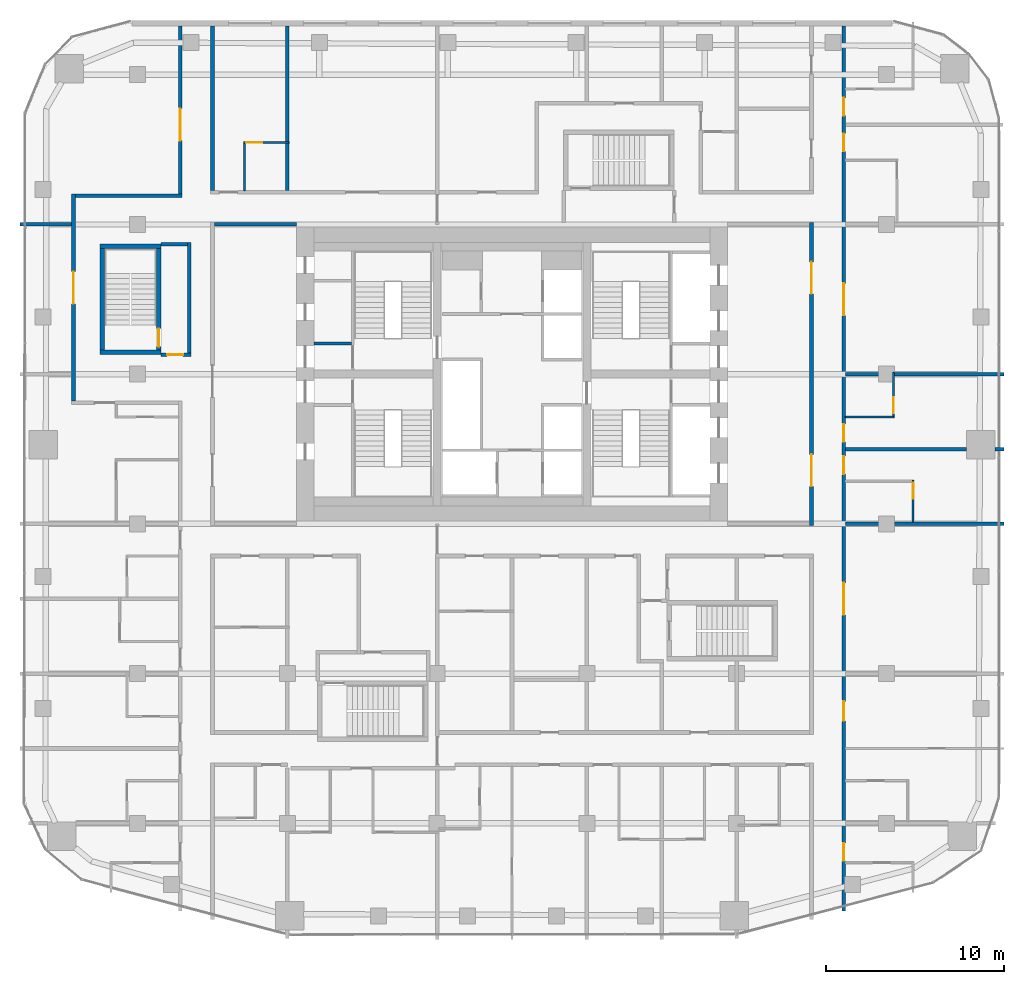
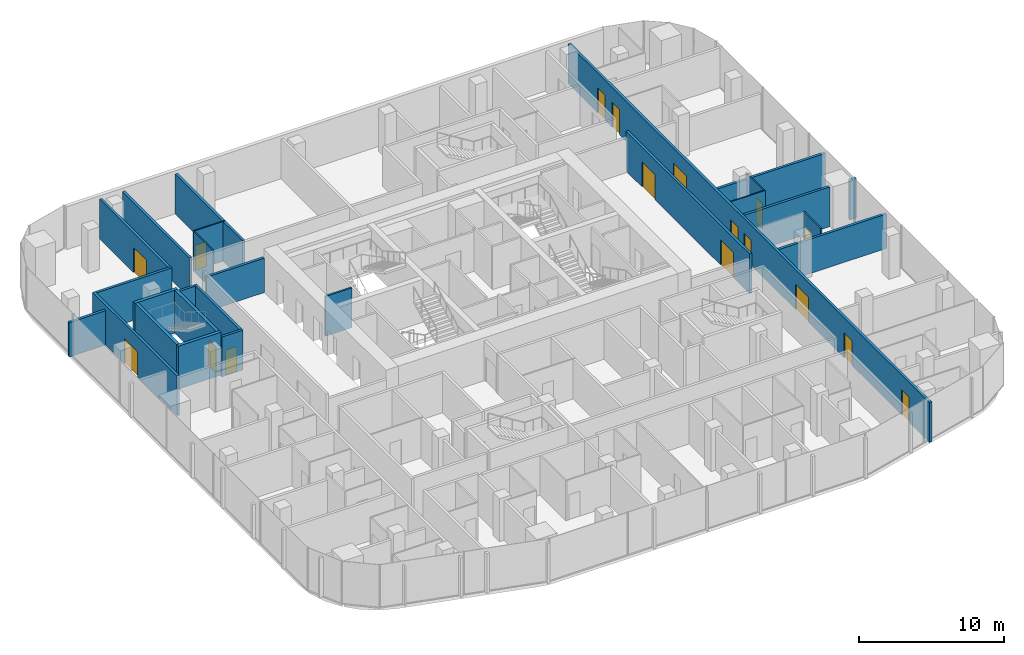
# One storey, part 18 of 23: 26 walls, 17 doors, 17 openings.
"""IFC4 building model written with IfcOpenShell, lengths in metres."""

from ifc_helpers import new_model, si_unit, direction, frame, frame_2d, origin, place, context, subcontext, project, spatial, rectangle, extrude, material, layer, layer_set, type_object, element, fill, save


model = new_model("IFC4")

# Units and contexts
model_context = context("Model", 3, precision=1e-05, world=origin(), true_north=direction((0.0, 1.0)))
body_context = subcontext(model_context, "Body", "Model", "MODEL_VIEW")
ifc_project = project(units=[si_unit("LENGTHUNIT", "METRE"), si_unit("AREAUNIT", "SQUARE_METRE"), si_unit("VOLUMEUNIT", "CUBIC_METRE"), si_unit("PLANEANGLEUNIT", "RADIAN"), si_unit("MASSUNIT", "GRAM", prefix="KILO")], contexts=[model_context])

# Site, building, storey
site_placement = place(None, origin())
site = spatial("IfcSite", under=ifc_project, at=site_placement, CompositionType="ELEMENT")
building_placement = place(site_placement, origin())
building = spatial("IfcBuilding", under=site, at=building_placement, Name="Marenta Gate Hotel Tower", CompositionType="ELEMENT")
storey_placement = place(building_placement, frame((0.0, 0.0, 148.10009765625)))
storey = spatial("IfcBuildingStorey", under=building, at=storey_placement, Name="L34", CompositionType="ELEMENT", Elevation=148.10009765625)

# Wall
ifc_material_1 = material(Name="Concrete blockwork", Category="masonry")
ifc_layer_1 = layer(ifc_material_1, 0.199951171875)
ifc_layer_set_1 = layer_set([ifc_layer_1], Name="Concrete blockwork")
wall_type_1 = type_object("IfcWallType", Name="Core boundary wall 200 REI 180", PredefinedType="PARTITIONING", material=ifc_layer_set_1)
wall_1_placement = place(storey_placement, frame((-16.699951171875, 16.800048828125, 0.0), z_axis=(0.0, 0.0, 1.0), x_axis=(1.0, 0.0, 0.0)))
element("IfcWall", 1, at=wall_1_placement, inside=storey, type_object=wall_type_1, Name="L34-CP-EW-WN", PredefinedType="PARTITIONING", context=body_context, shape_type="SweptSolid", body=[
    extrude(rectangle(XDim=4.599853515625, YDim=0.199951171875, at=frame_2d((2.2998046875, 0.0))), origin(), (0.0, 0.0, 1.0), 2.889892578125),
])

# Wall, openings, doors
wall_2_placement = place(storey_placement, frame((16.800048828125, -0.10009765625, 0.0), z_axis=(0.0, 0.0, 1.0), x_axis=(0.0, 1.0, 0.0)))
wall_2 = element("IfcWall", 2, at=wall_2_placement, inside=storey, type_object=wall_type_1, Name="L34-CP-BW-E", PredefinedType="PARTITIONING", context=body_context, shape_type="SweptSolid", body=[
    extrude(rectangle(XDim=17.0, YDim=0.199951171875, at=frame_2d((8.5, 0.0))), origin(), (0.0, 0.0, 1.0), 3.33984375),
])
opening_1_placement = place(wall_2_placement, frame((2.199951171875, 0.0, 0.0)))
opening_1 = element("IfcOpeningElement", 3, at=opening_1_placement, cuts=wall_2, Name="Opening ED-Ea-B", PredefinedType="OPENING", context=body_context, shape_type="SweptSolid", body=[
    extrude(rectangle(XDim=1.800048828125, YDim=2.10009765625, at=frame_2d((0.89990234375, 1.050048828125))), frame((0.0, 0.10009765625, 0.0), z_axis=(0.0, -1.0, 0.0), x_axis=(1.0, 0.0, 0.0)), (0.0, 0.0, 1.0), 0.199951171875),
])
opening_2_placement = place(wall_2_placement, frame((13.0, 0.0, 0.0)))
opening_2 = element("IfcOpeningElement", 4, at=opening_2_placement, cuts=wall_2, Name="Opening ED-Eb-B", PredefinedType="OPENING", context=body_context, shape_type="SweptSolid", body=[
    extrude(rectangle(XDim=1.800048828125, YDim=2.10009765625, at=frame_2d((0.89990234375, 1.050048828125))), frame((0.0, 0.10009765625, 0.0), z_axis=(0.0, -1.0, 0.0), x_axis=(1.0, 0.0, 0.0)), (0.0, 0.0, 1.0), 0.199951171875),
])
ifc_material_2 = material(Name="Steel", Category="steel")
door_type_1 = type_object("IfcDoorType", Name="Core lobby entrance door 1800x2100 EI 60", OperationType="DOUBLE_DOOR_SINGLE_SWING", PredefinedType="DOOR", material=ifc_material_2)
door_1_placement = place(opening_1_placement, origin())
door_1 = element("IfcDoor", 5, at=door_1_placement, inside=storey, type_object=door_type_1, Name="ED-Ea-B", OperationType="DOUBLE_DOOR_SINGLE_SWING", OverallHeight=2.10009765625, OverallWidth=1.800048828125, PredefinedType="DOOR", context=body_context, shape_type="SweptSolid", body=[
    extrude(rectangle(XDim=1.800048828125, YDim=2.10009765625, at=frame_2d((0.89990234375, 1.050048828125))), frame((0.0, 0.02490234375, 0.0), z_axis=(0.0, -1.0, 0.0), x_axis=(1.0, 0.0, 0.0)), (0.0, 0.0, 1.0), 0.050048828125),
])
fill(opening_1, door_1)
door_2_placement = place(opening_2_placement, origin())
door_2 = element("IfcDoor", 6, at=door_2_placement, inside=storey, type_object=door_type_1, Name="ED-Eb-B", OperationType="DOUBLE_DOOR_SINGLE_SWING", OverallHeight=2.10009765625, OverallWidth=1.800048828125, PredefinedType="DOOR", context=body_context, shape_type="SweptSolid", body=[
    extrude(rectangle(XDim=1.800048828125, YDim=2.10009765625, at=frame_2d((0.89990234375, 1.050048828125))), frame((0.0, 0.02490234375, 0.0), z_axis=(0.0, -1.0, 0.0), x_axis=(1.0, 0.0, 0.0)), (0.0, 0.0, 1.0), 0.050048828125),
])
fill(opening_2, door_2)

# Walls
ifc_material_3 = material(Name="Concrete blockwork", Category="masonry")
ifc_layer_2 = layer(ifc_material_3, 0.14990234375)
ifc_layer_set_2 = layer_set([ifc_layer_2], Name="Concrete blockwork")
wall_type_2 = type_object("IfcWallType", Name="Core room partition 150 REI 180", PredefinedType="PARTITIONING", material=ifc_layer_set_2)
wall_3_placement = place(storey_placement, frame((-11.10009765625, 10.125, 0.0), z_axis=(0.0, 0.0, 1.0), x_axis=(1.0, 0.0, 0.0)))
element("IfcWall", 7, at=wall_3_placement, inside=storey, type_object=wall_type_2, Name="L34-CP-SW-WN-2", PredefinedType="PARTITIONING", context=body_context, shape_type="SweptSolid", body=[
    extrude(rectangle(XDim=2.10009765625, YDim=0.14990234375, at=frame_2d((1.050048828125, 0.0))), origin(), (0.0, 0.0, 1.0), 3.33984375),
])
ifc_material_4 = material(Name="Concrete C40", Category="concrete")
ifc_layer_3 = layer(ifc_material_4, 0.25)
ifc_layer_set_3 = layer_set([ifc_layer_3], Name="Concrete C40")
wall_type_3 = type_object("IfcWallType", Name="Remote stair enclosure wall 250 REI 180", PredefinedType="SHEAR", material=ifc_layer_set_3)
for number, where, z_axis, x_axis, name in (
    (8, (-23.10009765625, 9.625, 0.099853515625), (0.0, 0.0, 1.0), (1.0, 0.0, 0.0), "L34-RS-Z1-3-W1"),
    (9, (-23.10009765625, 15.574951171875, 0.099853515625), (0.0, 0.0, 1.0), (1.0, 0.0, 0.0), "L34-RS-Z1-3-W2"),
):
    element("IfcWall", number, at=place(storey_placement, frame(where, z_axis=z_axis, x_axis=x_axis)), inside=storey, type_object=wall_type_3, Name=name, PredefinedType="SHEAR", context=body_context, shape_type="SweptSolid", body=[
        extrude(rectangle(XDim=3.400146484375, YDim=0.25, at=frame_2d((1.7001953125, 0.0))), origin(), (0.0, 0.0, 1.0), 3.60009765625),
    ])
wall_4_placement = place(storey_placement, frame((-22.97509765625, 9.75, 0.099853515625), z_axis=(0.0, 0.0, 1.0), x_axis=(0.0, 1.0, 0.0)))
element("IfcWall", 10, at=wall_4_placement, inside=storey, type_object=wall_type_3, Name="L34-RS-Z1-3-W3", PredefinedType="SHEAR", context=body_context, shape_type="SweptSolid", body=[
    extrude(rectangle(XDim=5.699951171875, YDim=0.25, at=frame_2d((2.85009765625, 0.0))), origin(), (0.0, 0.0, 1.0), 3.60009765625),
])

# Wall, opening, door
wall_5_placement = place(storey_placement, frame((-19.824951171875, 9.75, 0.099853515625), z_axis=(0.0, 0.0, 1.0), x_axis=(0.0, 1.0, 0.0)))
wall_5 = element("IfcWall", 11, at=wall_5_placement, inside=storey, type_object=wall_type_3, Name="L34-RS-Z1-3-W4", PredefinedType="SHEAR", context=body_context, shape_type="SweptSolid", body=[
    extrude(rectangle(XDim=5.699951171875, YDim=0.25, at=frame_2d((2.85009765625, 0.0))), origin(), (0.0, 0.0, 1.0), 3.60009765625),
])
opening_3_placement = place(wall_5_placement, frame((0.199951171875, 0.0, 0.0)))
opening_3 = element("IfcOpeningElement", 12, at=opening_3_placement, cuts=wall_5, Name="Opening VD", PredefinedType="OPENING", context=body_context, shape_type="SweptSolid", body=[
    extrude(rectangle(XDim=1.0, YDim=2.10009765625, at=frame_2d((0.5, 1.050048828125))), frame((0.0, 0.125, 0.0), z_axis=(0.0, -1.0, 0.0), x_axis=(1.0, 0.0, 0.0)), (0.0, 0.0, 1.0), 0.25),
])
ifc_material_5 = material(Name="Steel", Category="steel")
door_type_2 = type_object("IfcDoorType", Name="Stair vestibule door 1000x2100 FD60", OperationType="SINGLE_SWING_LEFT", PredefinedType="DOOR", material=ifc_material_5)
door_3_placement = place(opening_3_placement, origin())
door_3 = element("IfcDoor", 13, at=door_3_placement, inside=storey, type_object=door_type_2, Name="VD", OperationType="SINGLE_SWING_LEFT", OverallHeight=2.10009765625, OverallWidth=1.0, PredefinedType="DOOR", context=body_context, shape_type="SweptSolid", body=[
    extrude(rectangle(XDim=1.0, YDim=2.10009765625, at=frame_2d((0.5, 1.050048828125))), frame((0.0, 0.02490234375, 0.0), z_axis=(0.0, -1.0, 0.0), x_axis=(1.0, 0.0, 0.0)), (0.0, 0.0, 1.0), 0.050048828125),
])
fill(opening_3, door_3)

# Wall, openings, doors
ifc_material_6 = material(Name="Gypsum board on steel stud", Category="steel")
ifc_layer_4 = layer(ifc_material_6, 0.199951171875)
ifc_layer_set_4 = layer_set([ifc_layer_4], Name="Gypsum board on steel stud")
wall_type_4 = type_object("IfcWallType", Name="Room corridor wall 200 EI 60", PredefinedType="PARTITIONING", material=ifc_layer_set_4)
wall_6_placement = place(storey_placement, frame((18.60009765625, -21.7080078125, 0.0), z_axis=(0.0, 0.0, 1.0), x_axis=(0.0, 1.0, 0.0)))
wall_6 = element("IfcWall", 14, at=wall_6_placement, inside=storey, type_object=wall_type_4, Name="L34-PTN-W009", PredefinedType="PARTITIONING", context=body_context, shape_type="SweptSolid", body=[
    extrude(rectangle(XDim=49.64794921875, YDim=0.199951171875, at=frame_2d((24.823974609375, 0.0))), origin(), (0.0, 0.0, 1.0), 3.33984375),
])
opening_4_placement = place(wall_6_placement, frame((2.800048828125, 0.0, 0.0)))
opening_4 = element("IfcOpeningElement", 15, at=opening_4_placement, cuts=wall_6, Name="Opening G13-08", PredefinedType="OPENING", context=body_context, shape_type="SweptSolid", body=[
    extrude(rectangle(XDim=1.0, YDim=2.10009765625, at=frame_2d((0.5, 1.050048828125))), frame((0.0, 0.10009765625, 0.0), z_axis=(0.0, -1.0, 0.0), x_axis=(1.0, 0.0, 0.0)), (0.0, 0.0, 1.0), 0.199951171875),
])
opening_5_placement = place(wall_6_placement, frame((10.657958984375, 0.0, 0.0)))
opening_5 = element("IfcOpeningElement", 16, at=opening_5_placement, cuts=wall_6, Name="Opening G13-10", PredefinedType="OPENING", context=body_context, shape_type="SweptSolid", body=[
    extrude(rectangle(XDim=1.10009765625, YDim=2.10009765625, at=frame_2d((0.550048828125, 1.050048828125))), frame((0.0, 0.10009765625, 0.0), z_axis=(0.0, -1.0, 0.0), x_axis=(1.0, 0.0, 0.0)), (0.0, 0.0, 1.0), 0.199951171875),
])
opening_6_placement = place(wall_6_placement, frame((16.60791015625, 0.0, 0.0)))
opening_6 = element("IfcOpeningElement", 17, at=opening_6_placement, cuts=wall_6, Name="Opening G13-13", PredefinedType="OPENING", context=body_context, shape_type="SweptSolid", body=[
    extrude(rectangle(XDim=1.800048828125, YDim=2.10009765625, at=frame_2d((0.89990234375, 1.050048828125))), frame((0.0, 0.10009765625, 0.0), z_axis=(0.0, -1.0, 0.0), x_axis=(1.0, 0.0, 0.0)), (0.0, 0.0, 1.0), 0.199951171875),
])
opening_7_placement = place(wall_6_placement, frame((24.508056640625, 0.0, 0.0)))
opening_7 = element("IfcOpeningElement", 18, at=opening_7_placement, cuts=wall_6, Name="Opening G13-14", PredefinedType="OPENING", context=body_context, shape_type="SweptSolid", body=[
    extrude(rectangle(XDim=1.0, YDim=2.10009765625, at=frame_2d((0.5, 1.050048828125))), frame((0.0, 0.10009765625, 0.0), z_axis=(0.0, -1.0, 0.0), x_axis=(1.0, 0.0, 0.0)), (0.0, 0.0, 1.0), 0.199951171875),
])
opening_8_placement = place(wall_6_placement, frame((26.30810546875, 0.0, 0.0)))
opening_8 = element("IfcOpeningElement", 19, at=opening_8_placement, cuts=wall_6, Name="Opening G13-16", PredefinedType="OPENING", context=body_context, shape_type="SweptSolid", body=[
    extrude(rectangle(XDim=1.0, YDim=2.10009765625, at=frame_2d((0.5, 1.050048828125))), frame((0.0, 0.10009765625, 0.0), z_axis=(0.0, -1.0, 0.0), x_axis=(1.0, 0.0, 0.0)), (0.0, 0.0, 1.0), 0.199951171875),
])
opening_9_placement = place(wall_6_placement, frame((33.407958984375, 0.0, 0.0)))
opening_9 = element("IfcOpeningElement", 20, at=opening_9_placement, cuts=wall_6, Name="Opening G13-18", PredefinedType="OPENING", context=body_context, shape_type="SweptSolid", body=[
    extrude(rectangle(XDim=1.800048828125, YDim=2.10009765625, at=frame_2d((0.89990234375, 1.050048828125))), frame((0.0, 0.10009765625, 0.0), z_axis=(0.0, -1.0, 0.0), x_axis=(1.0, 0.0, 0.0)), (0.0, 0.0, 1.0), 0.199951171875),
])
opening_10_placement = place(wall_6_placement, frame((42.60791015625, 0.0, 0.0)))
opening_10 = element("IfcOpeningElement", 21, at=opening_10_placement, cuts=wall_6, Name="Opening G13-19", PredefinedType="OPENING", context=body_context, shape_type="SweptSolid", body=[
    extrude(rectangle(XDim=1.0, YDim=2.10009765625, at=frame_2d((0.5, 1.050048828125))), frame((0.0, 0.10009765625, 0.0), z_axis=(0.0, -1.0, 0.0), x_axis=(1.0, 0.0, 0.0)), (0.0, 0.0, 1.0), 0.199951171875),
])
opening_11_placement = place(wall_6_placement, frame((44.60791015625, 0.0, 0.0)))
opening_11 = element("IfcOpeningElement", 22, at=opening_11_placement, cuts=wall_6, Name="Opening G13-21", PredefinedType="OPENING", context=body_context, shape_type="SweptSolid", body=[
    extrude(rectangle(XDim=1.0, YDim=2.10009765625, at=frame_2d((0.5, 1.050048828125))), frame((0.0, 0.10009765625, 0.0), z_axis=(0.0, -1.0, 0.0), x_axis=(1.0, 0.0, 0.0)), (0.0, 0.0, 1.0), 0.199951171875),
])
ifc_material_7 = material(Name="Timber door leaf", Category="wood")
door_type_3 = type_object("IfcDoorType", Name="Guest room door 1000x2100 EI 30", OperationType="NOTDEFINED", PredefinedType="DOOR", material=ifc_material_7)
door_4_placement = place(opening_4_placement, origin())
door_4 = element("IfcDoor", 23, at=door_4_placement, inside=storey, type_object=door_type_3, Name="L34-PD-D008", OperationType="SINGLE_SWING_RIGHT", OverallHeight=2.10009765625, OverallWidth=1.0, PredefinedType="DOOR", context=body_context, shape_type="SweptSolid", body=[
    extrude(rectangle(XDim=1.0, YDim=2.10009765625, at=frame_2d((0.5, 1.050048828125))), frame((0.0, 0.02490234375, 0.0), z_axis=(0.0, -1.0, 0.0), x_axis=(1.0, 0.0, 0.0)), (0.0, 0.0, 1.0), 0.050048828125),
])
fill(opening_4, door_4)
door_5_placement = place(opening_7_placement, origin())
door_5 = element("IfcDoor", 24, at=door_5_placement, inside=storey, type_object=door_type_3, Name="L34-PD-D014", OperationType="SINGLE_SWING_RIGHT", OverallHeight=2.10009765625, OverallWidth=1.0, PredefinedType="DOOR", context=body_context, shape_type="SweptSolid", body=[
    extrude(rectangle(XDim=1.0, YDim=2.10009765625, at=frame_2d((0.5, 1.050048828125))), frame((0.0, 0.02490234375, 0.0), z_axis=(0.0, -1.0, 0.0), x_axis=(1.0, 0.0, 0.0)), (0.0, 0.0, 1.0), 0.050048828125),
])
fill(opening_7, door_5)
door_6_placement = place(opening_8_placement, origin())
door_6 = element("IfcDoor", 25, at=door_6_placement, inside=storey, type_object=door_type_3, Name="L34-PD-D016", OperationType="SINGLE_SWING_RIGHT", OverallHeight=2.10009765625, OverallWidth=1.0, PredefinedType="DOOR", context=body_context, shape_type="SweptSolid", body=[
    extrude(rectangle(XDim=1.0, YDim=2.10009765625, at=frame_2d((0.5, 1.050048828125))), frame((0.0, 0.02490234375, 0.0), z_axis=(0.0, -1.0, 0.0), x_axis=(1.0, 0.0, 0.0)), (0.0, 0.0, 1.0), 0.050048828125),
])
fill(opening_8, door_6)
door_7_placement = place(opening_10_placement, origin())
door_7 = element("IfcDoor", 26, at=door_7_placement, inside=storey, type_object=door_type_3, Name="L34-PD-D019", OperationType="SINGLE_SWING_LEFT", OverallHeight=2.10009765625, OverallWidth=1.0, PredefinedType="DOOR", context=body_context, shape_type="SweptSolid", body=[
    extrude(rectangle(XDim=1.0, YDim=2.10009765625, at=frame_2d((0.5, 1.050048828125))), frame((0.0, 0.02490234375, 0.0), z_axis=(0.0, -1.0, 0.0), x_axis=(1.0, 0.0, 0.0)), (0.0, 0.0, 1.0), 0.050048828125),
])
fill(opening_10, door_7)
door_8_placement = place(opening_11_placement, origin())
door_8 = element("IfcDoor", 27, at=door_8_placement, inside=storey, type_object=door_type_3, Name="L34-PD-D021", OperationType="SINGLE_SWING_LEFT", OverallHeight=2.10009765625, OverallWidth=1.0, PredefinedType="DOOR", context=body_context, shape_type="SweptSolid", body=[
    extrude(rectangle(XDim=1.0, YDim=2.10009765625, at=frame_2d((0.5, 1.050048828125))), frame((0.0, 0.02490234375, 0.0), z_axis=(0.0, -1.0, 0.0), x_axis=(1.0, 0.0, 0.0)), (0.0, 0.0, 1.0), 0.050048828125),
])
fill(opening_11, door_8)
ifc_material_8 = material(Name="Timber door leaf", Category="wood")
door_type_4 = type_object("IfcDoorType", Name="Guest room door 1100x2100 EI 30", OperationType="NOTDEFINED", PredefinedType="DOOR", material=ifc_material_8)
door_9_placement = place(opening_5_placement, origin())
door_9 = element("IfcDoor", 28, at=door_9_placement, inside=storey, type_object=door_type_4, Name="L34-PD-D010", OperationType="SINGLE_SWING_RIGHT", OverallHeight=2.10009765625, OverallWidth=1.10009765625, PredefinedType="DOOR", context=body_context, shape_type="SweptSolid", body=[
    extrude(rectangle(XDim=1.10009765625, YDim=2.10009765625, at=frame_2d((0.550048828125, 1.050048828125))), frame((0.0, 0.02490234375, 0.0), z_axis=(0.0, -1.0, 0.0), x_axis=(1.0, 0.0, 0.0)), (0.0, 0.0, 1.0), 0.050048828125),
])
fill(opening_5, door_9)
ifc_material_9 = material(Name="Timber door leaf", Category="wood")
door_type_5 = type_object("IfcDoorType", Name="Room amenity door 1800x2100 EI 30", OperationType="DOUBLE_DOOR_SINGLE_SWING", PredefinedType="DOOR", material=ifc_material_9)
door_10_placement = place(opening_6_placement, origin())
door_10 = element("IfcDoor", 29, at=door_10_placement, inside=storey, type_object=door_type_5, Name="L34-PD-D013", OperationType="DOUBLE_DOOR_SINGLE_SWING", OverallHeight=2.10009765625, OverallWidth=1.800048828125, PredefinedType="DOOR", context=body_context, shape_type="SweptSolid", body=[
    extrude(rectangle(XDim=1.800048828125, YDim=2.10009765625, at=frame_2d((0.89990234375, 1.050048828125))), frame((0.0, 0.02490234375, 0.0), z_axis=(0.0, -1.0, 0.0), x_axis=(1.0, 0.0, 0.0)), (0.0, 0.0, 1.0), 0.050048828125),
])
fill(opening_6, door_10)
door_11_placement = place(opening_9_placement, origin())
door_11 = element("IfcDoor", 30, at=door_11_placement, inside=storey, type_object=door_type_5, Name="L34-PD-D018", OperationType="DOUBLE_DOOR_SINGLE_SWING", OverallHeight=2.10009765625, OverallWidth=1.800048828125, PredefinedType="DOOR", context=body_context, shape_type="SweptSolid", body=[
    extrude(rectangle(XDim=1.800048828125, YDim=2.10009765625, at=frame_2d((0.89990234375, 1.050048828125))), frame((0.0, 0.02490234375, 0.0), z_axis=(0.0, -1.0, 0.0), x_axis=(1.0, 0.0, 0.0)), (0.0, 0.0, 1.0), 0.050048828125),
])
fill(opening_9, door_11)

# Walls
wall_7_placement = place(storey_placement, frame((-16.800048828125, 18.699951171875, 0.0), z_axis=(0.0, 0.0, 1.0), x_axis=(0.0, 1.0, 0.0)))
element("IfcWall", 31, at=wall_7_placement, inside=storey, type_object=wall_type_4, Name="L34-PTN-W096", PredefinedType="PARTITIONING", context=body_context, shape_type="SweptSolid", body=[
    extrude(rectangle(XDim=9.239990234375, YDim=0.199951171875, at=frame_2d((4.6201171875, 0.0))), origin(), (0.0, 0.0, 1.0), 3.33984375),
])
wall_8_placement = place(storey_placement, frame((-24.5, 18.39990234375, 0.0), z_axis=(0.0, 0.0, 1.0), x_axis=(1.0, 0.0, 0.0)))
element("IfcWall", 32, at=wall_8_placement, inside=storey, type_object=wall_type_4, Name="L34-PTN-W100", PredefinedType="PARTITIONING", context=body_context, shape_type="SweptSolid", body=[
    extrude(rectangle(XDim=6.0, YDim=0.199951171875, at=frame_2d((3.0, 0.0))), origin(), (0.0, 0.0, 1.0), 3.33984375),
])

# Wall, opening, door
wall_9_placement = place(storey_placement, frame((-18.60009765625, 18.5, 0.0), z_axis=(0.0, 0.0, 1.0), x_axis=(0.0, 1.0, 0.0)))
wall_9 = element("IfcWall", 33, at=wall_9_placement, inside=storey, type_object=wall_type_4, Name="L34-PTN-W102", PredefinedType="PARTITIONING", context=body_context, shape_type="SweptSolid", body=[
    extrude(rectangle(XDim=9.43994140625, YDim=0.199951171875, at=frame_2d((4.719970703125, 0.0))), origin(), (0.0, 0.0, 1.0), 3.33984375),
])
opening_12_placement = place(wall_9_placement, frame((3.0, 0.0, 0.0)))
opening_12 = element("IfcOpeningElement", 34, at=opening_12_placement, cuts=wall_9, Name="Opening G13-57", PredefinedType="OPENING", context=body_context, shape_type="SweptSolid", body=[
    extrude(rectangle(XDim=1.800048828125, YDim=2.10009765625, at=frame_2d((0.89990234375, 1.050048828125))), frame((0.0, 0.10009765625, 0.0), z_axis=(0.0, -1.0, 0.0), x_axis=(1.0, 0.0, 0.0)), (0.0, 0.0, 1.0), 0.199951171875),
])
door_12_placement = place(opening_12_placement, origin())
door_12 = element("IfcDoor", 35, at=door_12_placement, inside=storey, type_object=door_type_5, Name="L34-PD-D057", OperationType="DOUBLE_DOOR_SINGLE_SWING", OverallHeight=2.10009765625, OverallWidth=1.800048828125, PredefinedType="DOOR", context=body_context, shape_type="SweptSolid", body=[
    extrude(rectangle(XDim=1.800048828125, YDim=2.10009765625, at=frame_2d((0.89990234375, 1.050048828125))), frame((0.0, 0.02490234375, 0.0), z_axis=(0.0, -1.0, 0.0), x_axis=(1.0, 0.0, 0.0)), (0.0, 0.0, 1.0), 0.050048828125),
])
fill(opening_12, door_12)

wall_10_placement = place(storey_placement, frame((-24.60009765625, 6.89990234375, 0.0), z_axis=(0.0, 0.0, 1.0), x_axis=(0.0, 1.0, 0.0)))
wall_10 = element("IfcWall", 36, at=wall_10_placement, inside=storey, type_object=wall_type_4, Name="L34-PTN-W119", PredefinedType="PARTITIONING", context=body_context, shape_type="SweptSolid", body=[
    extrude(rectangle(XDim=11.60009765625, YDim=0.199951171875, at=frame_2d((5.800048828125, 0.0))), origin(), (0.0, 0.0, 1.0), 3.33984375),
])
opening_13_placement = place(wall_10_placement, frame((5.449951171875, 0.0, 0.0)))
opening_13 = element("IfcOpeningElement", 37, at=opening_13_placement, cuts=wall_10, Name="Opening G13-56", PredefinedType="OPENING", context=body_context, shape_type="SweptSolid", body=[
    extrude(rectangle(XDim=1.800048828125, YDim=2.10009765625, at=frame_2d((0.89990234375, 1.050048828125))), frame((0.0, 0.10009765625, 0.0), z_axis=(0.0, -1.0, 0.0), x_axis=(1.0, 0.0, 0.0)), (0.0, 0.0, 1.0), 0.199951171875),
])
door_13_placement = place(opening_13_placement, origin())
door_13 = element("IfcDoor", 38, at=door_13_placement, inside=storey, type_object=door_type_5, Name="L34-PD-D056", OperationType="DOUBLE_DOOR_SINGLE_SWING", OverallHeight=2.10009765625, OverallWidth=1.800048828125, PredefinedType="DOOR", context=body_context, shape_type="SweptSolid", body=[
    extrude(rectangle(XDim=1.800048828125, YDim=2.10009765625, at=frame_2d((0.89990234375, 1.050048828125))), frame((0.0, 0.02490234375, 0.0), z_axis=(0.0, -1.0, 0.0), x_axis=(1.0, 0.0, 0.0)), (0.0, 0.0, 1.0), 0.050048828125),
])
fill(opening_13, door_13)

ifc_material_10 = material(Name="Concrete blockwork", Category="masonry")
ifc_layer_5 = layer(ifc_material_10, 0.199951171875)
ifc_layer_set_5 = layer_set([ifc_layer_5], Name="Concrete blockwork")
wall_type_5 = type_object("IfcWallType", Name="Room corridor wall 200 REI 180", PredefinedType="PARTITIONING", material=ifc_layer_set_5)
wall_11_placement = place(storey_placement, frame((-19.699951171875, 9.5, 0.0), z_axis=(0.0, 0.0, 1.0), x_axis=(1.0, 0.0, 0.0)))
wall_11 = element("IfcWall", 39, at=wall_11_placement, inside=storey, type_object=wall_type_5, Name="L34-PTN-W085", PredefinedType="PARTITIONING", context=body_context, shape_type="SweptSolid", body=[
    extrude(rectangle(XDim=1.699951171875, YDim=0.199951171875, at=frame_2d((0.85009765625, 0.0))), origin(), (0.0, 0.0, 1.0), 3.33984375),
])
opening_14_placement = place(wall_11_placement, frame((0.35009765625, 0.0, 0.0)))
opening_14 = element("IfcOpeningElement", 40, at=opening_14_placement, cuts=wall_11, Name="Opening G13-58", PredefinedType="OPENING", context=body_context, shape_type="SweptSolid", body=[
    extrude(rectangle(XDim=0.89990234375, YDim=2.10009765625, at=frame_2d((0.449951171875, 1.050048828125))), frame((0.0, 0.10009765625, 0.0), z_axis=(0.0, -1.0, 0.0), x_axis=(1.0, 0.0, 0.0)), (0.0, 0.0, 1.0), 0.199951171875),
])
ifc_material_11 = material(Name="Hollow steel door set", Category="steel")
door_type_6 = type_object("IfcDoorType", Name="Stair vestibule door 900x2100 EI 60", OperationType="NOTDEFINED", PredefinedType="DOOR", material=ifc_material_11)
door_14_placement = place(opening_14_placement, origin())
door_14 = element("IfcDoor", 41, at=door_14_placement, inside=storey, type_object=door_type_6, Name="L34-PD-D058", OperationType="SINGLE_SWING_RIGHT", OverallHeight=2.10009765625, OverallWidth=0.89990234375, PredefinedType="DOOR", context=body_context, shape_type="SweptSolid", body=[
    extrude(rectangle(XDim=0.89990234375, YDim=2.10009765625, at=frame_2d((0.449951171875, 1.050048828125))), frame((0.0, 0.02490234375, 0.0), z_axis=(0.0, -1.0, 0.0), x_axis=(1.0, 0.0, 0.0)), (0.0, 0.0, 1.0), 0.050048828125),
])
fill(opening_14, door_14)

# Walls
wall_12_placement = place(storey_placement, frame((-19.699951171875, 15.699951171875, 0.0), z_axis=(0.0, 0.0, 1.0), x_axis=(1.0, 0.0, 0.0)))
element("IfcWall", 42, at=wall_12_placement, inside=storey, type_object=wall_type_5, Name="L34-PTN-W093", PredefinedType="PARTITIONING", context=body_context, shape_type="SweptSolid", body=[
    extrude(rectangle(XDim=1.5, YDim=0.199951171875, at=frame_2d((0.75, 0.0))), origin(), (0.0, 0.0, 1.0), 3.33984375),
])
wall_13_placement = place(storey_placement, frame((-18.10009765625, 9.60009765625, 0.0), z_axis=(0.0, 0.0, 1.0), x_axis=(0.0, 1.0, 0.0)))
element("IfcWall", 43, at=wall_13_placement, inside=storey, type_object=wall_type_5, Name="L34-PTN-W099", PredefinedType="PARTITIONING", context=body_context, shape_type="SweptSolid", body=[
    extrude(rectangle(XDim=6.199951171875, YDim=0.199951171875, at=frame_2d((3.10009765625, 0.0))), origin(), (0.0, 0.0, 1.0), 3.33984375),
])

# Wall, opening, door
ifc_material_12 = material(Name="Gypsum board on steel stud", Category="steel")
ifc_layer_6 = layer(ifc_material_12, 0.10009765625)
ifc_layer_set_6 = layer_set([ifc_layer_6], Name="Gypsum board on steel stud")
wall_type_6 = type_object("IfcWallType", Name="Room partition 100", PredefinedType="PARTITIONING", material=ifc_layer_set_6)
wall_14_placement = place(storey_placement, frame((22.5, 0.10009765625, 0.0), z_axis=(0.0, 0.0, 1.0), x_axis=(0.0, 1.0, 0.0)))
wall_14 = element("IfcWall", 44, at=wall_14_placement, inside=storey, type_object=wall_type_6, Name="L34-PTN-W002", PredefinedType="PARTITIONING", context=body_context, shape_type="SweptSolid", body=[
    extrude(rectangle(XDim=2.349853515625, YDim=0.10009765625, at=frame_2d((1.1748046875, 0.0))), origin(), (0.0, 0.0, 1.0), 3.33984375),
])
opening_15_placement = place(wall_14_placement, frame((1.300048828125, 0.0, 0.0)))
opening_15 = element("IfcOpeningElement", 45, at=opening_15_placement, cuts=wall_14, Name="Opening G13-15", PredefinedType="OPENING", context=body_context, shape_type="SweptSolid", body=[
    extrude(rectangle(XDim=0.89990234375, YDim=2.10009765625, at=frame_2d((0.449951171875, 1.050048828125))), frame((0.0, 0.050048828125, 0.0), z_axis=(0.0, -1.0, 0.0), x_axis=(1.0, 0.0, 0.0)), (0.0, 0.0, 1.0), 0.10009765625),
])
ifc_material_13 = material(Name="Timber door leaf", Category="wood")
door_type_7 = type_object("IfcDoorType", Name="Guest bathroom door 900x2100", OperationType="NOTDEFINED", PredefinedType="DOOR", material=ifc_material_13)
door_15_placement = place(opening_15_placement, origin())
door_15 = element("IfcDoor", 46, at=door_15_placement, inside=storey, type_object=door_type_7, Name="L34-PD-D015", OperationType="SINGLE_SWING_RIGHT", OverallHeight=2.10009765625, OverallWidth=0.89990234375, PredefinedType="DOOR", context=body_context, shape_type="SweptSolid", body=[
    extrude(rectangle(XDim=0.89990234375, YDim=2.10009765625, at=frame_2d((0.449951171875, 1.050048828125))), frame((0.0, 0.02490234375, 0.0), z_axis=(0.0, -1.0, 0.0), x_axis=(1.0, 0.0, 0.0)), (0.0, 0.0, 1.0), 0.050048828125),
])
fill(opening_15, door_15)

wall_15_placement = place(storey_placement, frame((21.39990234375, 6.050048828125, 0.0), z_axis=(0.0, 0.0, 1.0), x_axis=(0.0, 1.0, 0.0)))
wall_15 = element("IfcWall", 47, at=wall_15_placement, inside=storey, type_object=wall_type_6, Name="L34-PTN-W006", PredefinedType="PARTITIONING", context=body_context, shape_type="SweptSolid", body=[
    extrude(rectangle(XDim=2.449951171875, YDim=0.10009765625, at=frame_2d((1.22509765625, 0.0))), origin(), (0.0, 0.0, 1.0), 3.33984375),
])
opening_16_placement = place(wall_15_placement, frame((0.14990234375, 0.0, 0.0)))
opening_16 = element("IfcOpeningElement", 48, at=opening_16_placement, cuts=wall_15, Name="Opening G13-17", PredefinedType="OPENING", context=body_context, shape_type="SweptSolid", body=[
    extrude(rectangle(XDim=0.89990234375, YDim=2.10009765625, at=frame_2d((0.449951171875, 1.050048828125))), frame((0.0, 0.050048828125, 0.0), z_axis=(0.0, -1.0, 0.0), x_axis=(1.0, 0.0, 0.0)), (0.0, 0.0, 1.0), 0.10009765625),
])
door_16_placement = place(opening_16_placement, origin())
door_16 = element("IfcDoor", 49, at=door_16_placement, inside=storey, type_object=door_type_7, Name="L34-PD-D017", OperationType="SINGLE_SWING_LEFT", OverallHeight=2.10009765625, OverallWidth=0.89990234375, PredefinedType="DOOR", context=body_context, shape_type="SweptSolid", body=[
    extrude(rectangle(XDim=0.89990234375, YDim=2.10009765625, at=frame_2d((0.449951171875, 1.050048828125))), frame((0.0, 0.02490234375, 0.0), z_axis=(0.0, -1.0, 0.0), x_axis=(1.0, 0.0, 0.0)), (0.0, 0.0, 1.0), 0.050048828125),
])
fill(opening_16, door_16)

# Walls
wall_16_placement = place(storey_placement, frame((18.699951171875, 6.0, 0.0), z_axis=(0.0, 0.0, 1.0), x_axis=(1.0, 0.0, 0.0)))
element("IfcWall", 50, at=wall_16_placement, inside=storey, type_object=wall_type_6, Name="L34-PTN-W079", PredefinedType="PARTITIONING", context=body_context, shape_type="SweptSolid", body=[
    extrude(rectangle(XDim=2.75, YDim=0.10009765625, at=frame_2d((1.375, 0.0))), origin(), (0.0, 0.0, 1.0), 3.33984375),
])
wall_17_placement = place(storey_placement, frame((-15.0, 18.699951171875, 0.0), z_axis=(0.0, 0.0, 1.0), x_axis=(0.0, 1.0, 0.0)))
element("IfcWall", 51, at=wall_17_placement, inside=storey, type_object=wall_type_6, Name="L34-PTN-W092", PredefinedType="PARTITIONING", context=body_context, shape_type="SweptSolid", body=[
    extrude(rectangle(XDim=2.650146484375, YDim=0.10009765625, at=frame_2d((1.3251953125, 0.0))), origin(), (0.0, 0.0, 1.0), 3.33984375),
])

# Wall, opening, door
wall_18_placement = place(storey_placement, frame((-15.050048828125, 21.39990234375, 0.0), z_axis=(0.0, 0.0, 1.0), x_axis=(1.0, 0.0, 0.0)))
wall_18 = element("IfcWall", 52, at=wall_18_placement, inside=storey, type_object=wall_type_6, Name="L34-PTN-W106", PredefinedType="PARTITIONING", context=body_context, shape_type="SweptSolid", body=[
    extrude(rectangle(XDim=2.550048828125, YDim=0.10009765625, at=frame_2d((1.27490234375, 0.0))), origin(), (0.0, 0.0, 1.0), 3.33984375),
])
opening_17_placement = place(wall_18_placement, frame((0.14990234375, 0.0, 0.0)))
opening_17 = element("IfcOpeningElement", 53, at=opening_17_placement, cuts=wall_18, Name="Opening G13-24", PredefinedType="OPENING", context=body_context, shape_type="SweptSolid", body=[
    extrude(rectangle(XDim=0.89990234375, YDim=2.10009765625, at=frame_2d((0.449951171875, 1.050048828125))), frame((0.0, 0.050048828125, 0.0), z_axis=(0.0, -1.0, 0.0), x_axis=(1.0, 0.0, 0.0)), (0.0, 0.0, 1.0), 0.10009765625),
])
door_17_placement = place(opening_17_placement, origin())
door_17 = element("IfcDoor", 54, at=door_17_placement, inside=storey, type_object=door_type_7, Name="L34-PD-D024", OperationType="SINGLE_SWING_RIGHT", OverallHeight=2.10009765625, OverallWidth=0.89990234375, PredefinedType="DOOR", context=body_context, shape_type="SweptSolid", body=[
    extrude(rectangle(XDim=0.89990234375, YDim=2.10009765625, at=frame_2d((0.449951171875, 1.050048828125))), frame((0.0, 0.02490234375, 0.0), z_axis=(0.0, -1.0, 0.0), x_axis=(1.0, 0.0, 0.0)), (0.0, 0.0, 1.0), 0.050048828125),
])
fill(opening_17, door_17)

# Walls
ifc_material_14 = material(Name="Gypsum board on steel stud", Category="steel")
ifc_layer_7 = layer(ifc_material_14, 0.199951171875)
ifc_layer_set_7 = layer_set([ifc_layer_7], Name="Gypsum board on steel stud")
wall_type_7 = type_object("IfcWallType", Name="Room party wall 200 EI 60", PredefinedType="PARTITIONING", material=ifc_layer_set_7)
wall_19_placement = place(storey_placement, frame((18.699951171875, 0.0, 0.0), z_axis=(0.0, 0.0, 1.0), x_axis=(1.0, 0.0, 0.0)))
element("IfcWall", 55, at=wall_19_placement, inside=storey, type_object=wall_type_7, Name="L34-PTN-W069", PredefinedType="PARTITIONING", context=body_context, shape_type="SweptSolid", body=[
    extrude(rectangle(XDim=8.900146484375, YDim=0.199951171875, at=frame_2d((4.4501953125, 0.0))), origin(), (0.0, 0.0, 1.0), 2.889892578125),
])
wall_20_placement = place(storey_placement, frame((18.699951171875, 4.199951171875, 0.0), z_axis=(0.0, 0.0, 1.0), x_axis=(1.0, 0.0, 0.0)))
element("IfcWall", 56, at=wall_20_placement, inside=storey, type_object=wall_type_7, Name="L34-PTN-W076", PredefinedType="PARTITIONING", context=body_context, shape_type="SweptSolid", body=[
    extrude(rectangle(XDim=6.800048828125, YDim=0.199951171875, at=frame_2d((3.39990234375, 0.0))), origin(), (0.0, 0.0, 1.0), 3.33984375),
])
wall_21_placement = place(storey_placement, frame((27.10009765625, 4.199951171875, 0.0), z_axis=(0.0, 0.0, 1.0), x_axis=(1.0, 0.0, 0.0)))
element("IfcWall", 57, at=wall_21_placement, inside=storey, type_object=wall_type_7, Name="L34-PTN-W123", PredefinedType="PARTITIONING", context=body_context, shape_type="SweptSolid", body=[
    extrude(rectangle(XDim=0.5, YDim=0.199951171875, at=frame_2d((0.25, 0.0))), origin(), (0.0, 0.0, 1.0), 3.33984375),
])
wall_22_placement = place(storey_placement, frame((18.699951171875, 8.39990234375, 0.0), z_axis=(0.0, 0.0, 1.0), x_axis=(1.0, 0.0, 0.0)))
element("IfcWall", 58, at=wall_22_placement, inside=storey, type_object=wall_type_7, Name="L34-PTN-W083", PredefinedType="PARTITIONING", context=body_context, shape_type="SweptSolid", body=[
    extrude(rectangle(XDim=8.900146484375, YDim=0.199951171875, at=frame_2d((4.4501953125, 0.0))), origin(), (0.0, 0.0, 1.0), 2.889892578125),
])
wall_23_placement = place(storey_placement, frame((-12.60009765625, 18.699951171875, 0.0), z_axis=(0.0, 0.0, 1.0), x_axis=(0.0, 1.0, 0.0)))
element("IfcWall", 59, at=wall_23_placement, inside=storey, type_object=wall_type_7, Name="L34-PTN-W090", PredefinedType="PARTITIONING", context=body_context, shape_type="SweptSolid", body=[
    extrude(rectangle(XDim=9.239990234375, YDim=0.199951171875, at=frame_2d((4.6201171875, 0.0))), origin(), (0.0, 0.0, 1.0), 3.33984375),
])
wall_24_placement = place(storey_placement, frame((-27.60009765625, 16.800048828125, 0.0), z_axis=(0.0, 0.0, 1.0), x_axis=(1.0, 0.0, 0.0)))
element("IfcWall", 60, at=wall_24_placement, inside=storey, type_object=wall_type_7, Name="L34-PTN-W097", PredefinedType="PARTITIONING", context=body_context, shape_type="SweptSolid", body=[
    extrude(rectangle(XDim=2.900146484375, YDim=0.199951171875, at=frame_2d((1.4501953125, 0.0))), origin(), (0.0, 0.0, 1.0), 2.889892578125),
])

save(model, "model.ifc")
